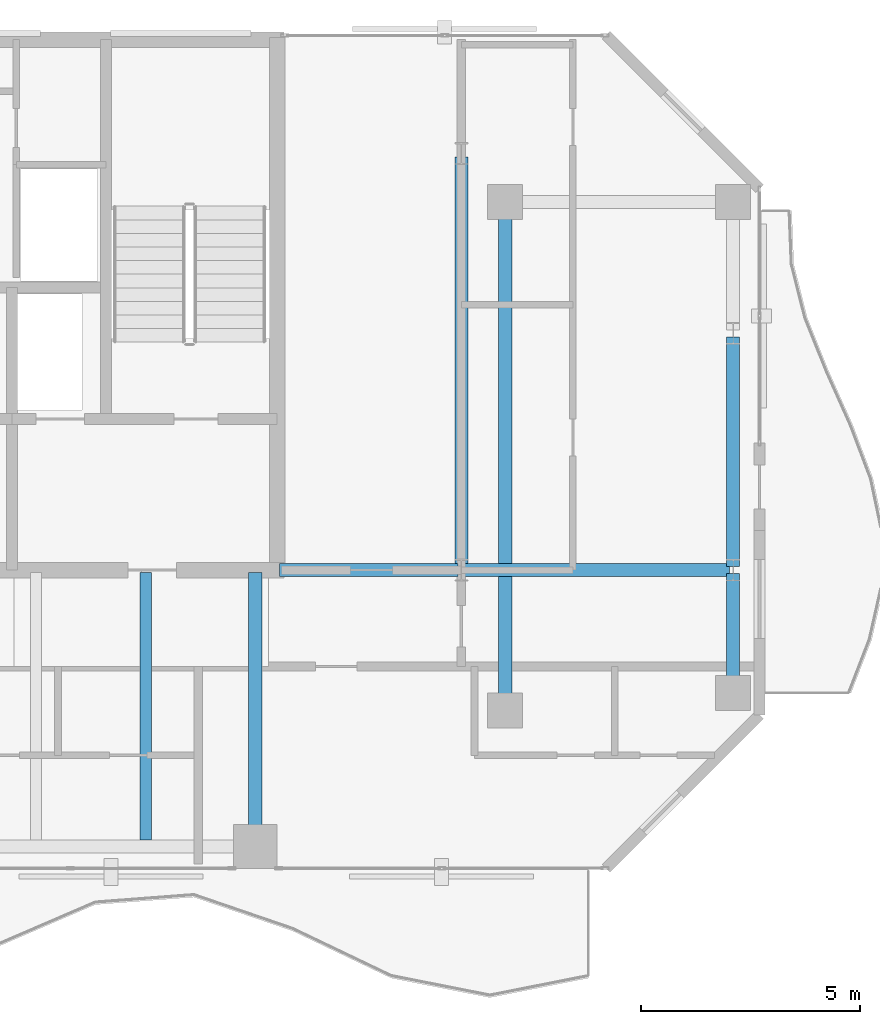
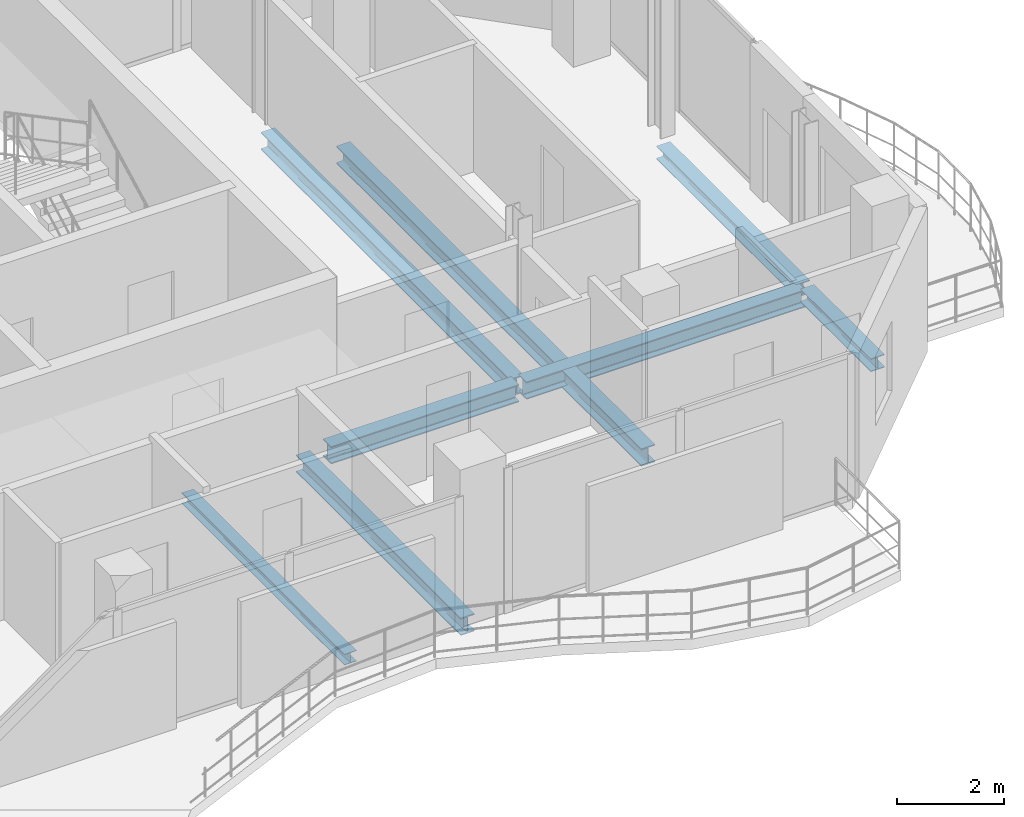
# One storey, part 13 of 23: 8 beams.
"""IFC4 building model written with IfcOpenShell, lengths in metres."""

from ifc_helpers import new_model, si_unit, direction, frame, origin, origin_2d, place, context, subcontext, project, spatial, i_section, extrude, material, material_profile, profile_set, type_object, element, save


model = new_model("IFC4")

# Units and contexts
model_context = context("Model", 3, precision=1e-05, world=origin(), true_north=direction((0.0, 1.0)))
body_context = subcontext(model_context, "Body", "Model", "MODEL_VIEW")
ifc_project = project(units=[si_unit("LENGTHUNIT", "METRE"), si_unit("AREAUNIT", "SQUARE_METRE"), si_unit("VOLUMEUNIT", "CUBIC_METRE"), si_unit("PLANEANGLEUNIT", "RADIAN"), si_unit("MASSUNIT", "GRAM", prefix="KILO")], contexts=[model_context])

# Site, building, storey
site_placement = place(None, origin())
site = spatial("IfcSite", under=ifc_project, at=site_placement, CompositionType="ELEMENT")
building_placement = place(site_placement, origin())
building = spatial("IfcBuilding", under=site, at=building_placement, Name="Catumbela Crestline Tower", CompositionType="ELEMENT")
storey_placement = place(building_placement, frame((0.0, 0.0, 186.6)))
storey = spatial("IfcBuildingStorey", under=building, at=storey_placement, Name="L48", CompositionType="ELEMENT", Elevation=186.6)

# Beams
ifc_material = material(Name="Structural steel S355J2", Category="steel")
ifc_material_profile_1 = material_profile(ifc_material, i_section(OverallWidth=0.3, OverallDepth=0.4, WebThickness=0.0135, FlangeThickness=0.024, FilletRadius=0.027, at=origin_2d()), Name="HEB 400")
ifc_profile_set_1 = profile_set([ifc_material_profile_1], Name="Structural steel S355J2")
beam_type_1 = type_object("IfcBeamType", Name="BG-HEB400", PredefinedType="BEAM", material=ifc_profile_set_1)
beam_1_placement = place(storey_placement, frame((40.05, 30.8, -0.46), z_axis=(1.0, 0.0, 0.0), x_axis=(0.0, 1.0, 0.0)))
element("IfcBeam", 1, at=beam_1_placement, inside=storey, type_object=beam_type_1, Name="L48 Beam BM-L48-M08", PredefinedType="BEAM", context=body_context, shape_type="SweptSolid", body=[
    extrude(i_section(OverallWidth=0.3, OverallDepth=0.4, WebThickness=0.0135, FlangeThickness=0.024, FilletRadius=0.027, at=origin_2d()), origin(), (0.0, 0.0, 1.0), 4.07),
])
beam_2_placement = place(storey_placement, frame((44.28, 30.8, -0.46), z_axis=(1.0, 0.0, 0.0), x_axis=(0.0, 1.0, 0.0)))
element("IfcBeam", 2, at=beam_2_placement, inside=storey, type_object=beam_type_1, Name="L48 Beam BM-L48-M09", PredefinedType="BEAM", context=body_context, shape_type="SweptSolid", body=[
    extrude(i_section(OverallWidth=0.3, OverallDepth=0.4, WebThickness=0.0135, FlangeThickness=0.024, FilletRadius=0.027, at=origin_2d()), origin(), (0.0, 0.0, 1.0), 6.04),
])
beam_3_placement = place(storey_placement, frame((39.5, 24.58, -0.46), z_axis=(0.0, 1.0, 0.0), x_axis=(-1.0, 0.0, 0.0)))
element("IfcBeam", 3, at=beam_3_placement, inside=storey, type_object=beam_type_1, Name="L48 Beam BM-L48-SNS20", PredefinedType="BEAM", context=body_context, shape_type="SweptSolid", body=[
    extrude(i_section(OverallWidth=0.3, OverallDepth=0.4, WebThickness=0.0135, FlangeThickness=0.024, FilletRadius=0.027, at=origin_2d()), origin(), (0.0, 0.0, 1.0), 6.17),
])
beam_4_placement = place(storey_placement, frame((44.2, 30.88, -0.46), z_axis=(0.0, 1.0, 0.0), x_axis=(-1.0, 0.0, 0.0)))
element("IfcBeam", 4, at=beam_4_placement, inside=storey, type_object=beam_type_1, Name="L48 Beam BM-L48-SN21", PredefinedType="BEAM", context=body_context, shape_type="SweptSolid", body=[
    extrude(i_section(OverallWidth=0.3, OverallDepth=0.4, WebThickness=0.0135, FlangeThickness=0.024, FilletRadius=0.027, at=origin_2d()), origin(), (0.0, 0.0, 1.0), 9.34),
])
beam_5_placement = place(storey_placement, frame((45.2, 27.68, -0.46), z_axis=(0.0, 1.0, 0.0), x_axis=(-1.0, 0.0, 0.0)))
element("IfcBeam", 5, at=beam_5_placement, inside=storey, type_object=beam_type_1, Name="L48 Beam BM-L48-SN22", PredefinedType="BEAM", context=body_context, shape_type="SweptSolid", body=[
    extrude(i_section(OverallWidth=0.3, OverallDepth=0.4, WebThickness=0.0135, FlangeThickness=0.024, FilletRadius=0.027, at=origin_2d()), origin(), (0.0, 0.0, 1.0), 11.44),
])
ifc_material_profile_2 = material_profile(ifc_material, i_section(OverallWidth=0.26, OverallDepth=0.25, WebThickness=0.0075, FlangeThickness=0.0125, FilletRadius=0.024, at=origin_2d()), Name="HEA 260")
ifc_profile_set_2 = profile_set([ifc_material_profile_2], Name="Structural steel S355J2")
beam_type_2 = type_object("IfcBeamType", Name="BJ-HEA260", PredefinedType="JOIST", material=ifc_profile_set_2)
beam_6_placement = place(storey_placement, frame((37.0, 24.647, -0.385), z_axis=(0.0, 1.0, 0.0), x_axis=(-1.0, 0.0, 0.0)))
element("IfcBeam", 6, at=beam_6_placement, inside=storey, type_object=beam_type_2, Name="L48 Joist JS-L48-SP31", PredefinedType="JOIST", context=body_context, shape_type="SweptSolid", body=[
    extrude(i_section(OverallWidth=0.26, OverallDepth=0.25, WebThickness=0.0075, FlangeThickness=0.0125, FilletRadius=0.024, at=origin_2d()), origin(), (0.0, 0.0, 1.0), 6.103),
])
ifc_material_profile_3 = material_profile(ifc_material, i_section(OverallWidth=0.3, OverallDepth=0.3, WebThickness=0.011, FlangeThickness=0.019, FilletRadius=0.027, at=origin_2d()), Name="HEB 300")
ifc_profile_set_3 = profile_set([ifc_material_profile_3], Name="Structural steel S355J2")
beam_type_3 = type_object("IfcBeamType", Name="BS-HEB300", PredefinedType="SPANDREL", material=ifc_profile_set_3)
beam_7_placement = place(storey_placement, frame((50.4, 28.08, -0.41), z_axis=(0.0, 1.0, 0.0), x_axis=(-1.0, 0.0, 0.0)))
element("IfcBeam", 7, at=beam_7_placement, inside=storey, type_object=beam_type_3, Name="L48 Spandrel SP-L48-SN23", PredefinedType="SPANDREL", context=body_context, shape_type="SweptSolid", body=[
    extrude(i_section(OverallWidth=0.3, OverallDepth=0.3, WebThickness=0.011, FlangeThickness=0.019, FilletRadius=0.027, at=origin_2d()), origin(), (0.0, 0.0, 1.0), 2.64),
])
beam_8_placement = place(storey_placement, frame((50.4, 30.88, -0.41), z_axis=(0.0, 1.0, 0.0), x_axis=(-1.0, 0.0, 0.0)))
element("IfcBeam", 8, at=beam_8_placement, inside=storey, type_object=beam_type_3, Name="L48 Spandrel SP-L48-SN24", PredefinedType="SPANDREL", context=body_context, shape_type="SweptSolid", body=[
    extrude(i_section(OverallWidth=0.3, OverallDepth=0.3, WebThickness=0.011, FlangeThickness=0.019, FilletRadius=0.027, at=origin_2d()), origin(), (0.0, 0.0, 1.0), 5.24),
])

save(model, "model.ifc")
